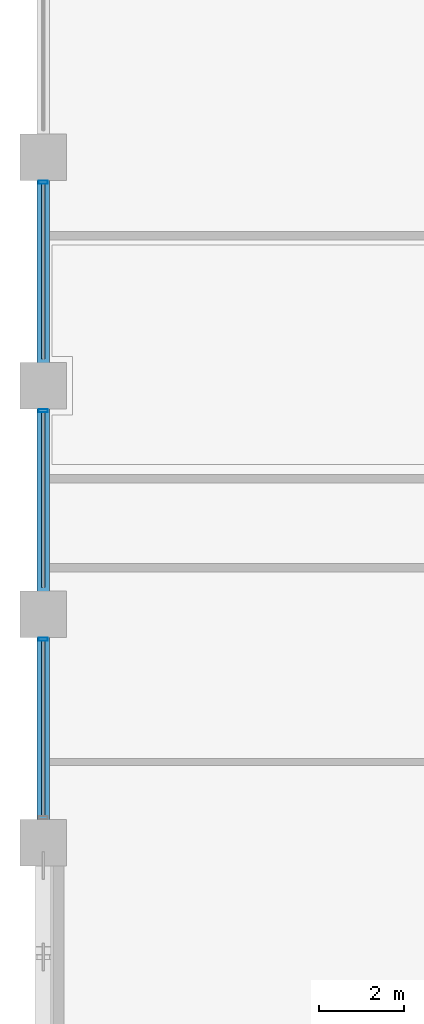
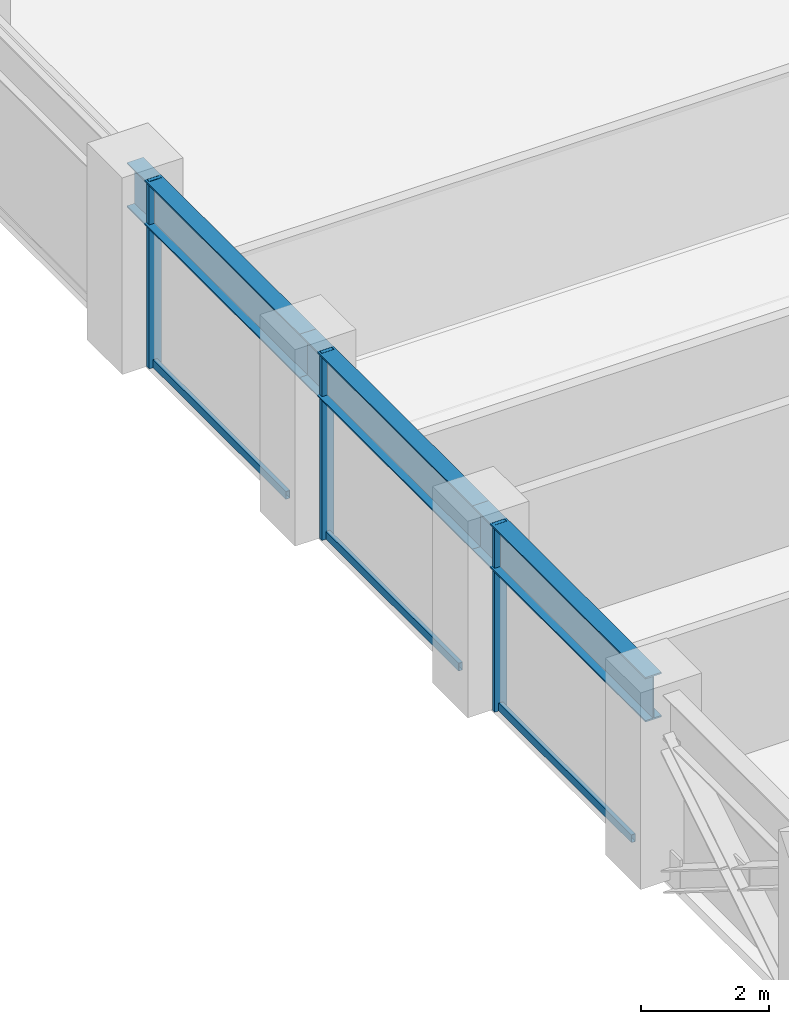
# One storey, part 6 of 25: 6 members, 3 beams, 1 element without a shape of its own.
"""IFC4 building model written with IfcOpenShell, lengths in metres."""

from ifc_helpers import new_model, si_unit, direction, frame, origin, origin_2d, place, context, subcontext, project, spatial, hollow_rectangle, i_section, extrude, material, layer, layer_set, material_profile, profile_set, type_object, element, aggregate, save


model = new_model("IFC4")

# Units and contexts
model_context = context("Model", 3, precision=1e-05, world=origin(), true_north=direction((0.0, 1.0)))
body_context = subcontext(model_context, "Body", "Model", "MODEL_VIEW")
ifc_project = project(units=[si_unit("LENGTHUNIT", "METRE"), si_unit("AREAUNIT", "SQUARE_METRE"), si_unit("VOLUMEUNIT", "CUBIC_METRE"), si_unit("PLANEANGLEUNIT", "RADIAN"), si_unit("MASSUNIT", "GRAM", prefix="KILO")], contexts=[model_context])

# Site, building, storey
site_placement = place(None, origin())
site = spatial("IfcSite", under=ifc_project, at=site_placement, CompositionType="ELEMENT")
building_placement = place(site_placement, origin())
building = spatial("IfcBuilding", under=site, at=building_placement, Name="Surkhivell Harbour Commons", CompositionType="ELEMENT")
storey_placement = place(building_placement, frame((0.0, 0.0, 120.75)))
storey = spatial("IfcBuildingStorey", under=building, at=storey_placement, Name="L31", CompositionType="ELEMENT", Elevation=120.75)

# Beams
ifc_material_1 = material(Name="Steel S460", Category="steel")
ifc_material_profile_1 = material_profile(ifc_material_1, i_section(OverallWidth=0.2939453125, OverallDepth=0.85107421875, WebThickness=0.01611328125, FlangeThickness=0.02685546875, at=origin_2d()), Name="UB838x292x226")
ifc_profile_set_1 = profile_set([ifc_material_profile_1], Name="Steel S460")
beam_type = type_object("IfcBeamType", Name="BM-SPN-838", PredefinedType="SPANDREL", material=ifc_profile_set_1)
beam_placement = place(storey_placement, frame((-32.39990234375, -10.800048828125, 3.14453125), z_axis=(0.0, 1.0, 0.0), x_axis=(-1.0, 0.0, 0.0)))
element("IfcBeam", 1, at=beam_placement, inside=storey, type_object=beam_type, Name="L31 Tube Spandrel (-32.4,-10.8)", PredefinedType="SPANDREL", context=body_context, shape_type="SweptSolid", body=[
    extrude(i_section(OverallWidth=0.2939453125, OverallDepth=0.85107421875, WebThickness=0.01611328125, FlangeThickness=0.02685546875, at=origin_2d()), origin(), (0.0, 0.0, 1.0), 5.400146484375),
])
for number, where, z_axis, x_axis, name in (
    (2, (-32.39990234375, -5.39990234375, 3.14453125), (0.0, 1.0, 0.0), (-1.0, 0.0, 0.0), "L31 Tube Spandrel (-32.4,-5.4)"),
    (3, (-32.39990234375, 0.0, 3.14453125), (0.0, 1.0, 0.0), (-1.0, 0.0, 0.0), "L31 Tube Spandrel (-32.4,0.0)"),
):
    element("IfcBeam", number, at=place(storey_placement, frame(where, z_axis=z_axis, x_axis=x_axis)), inside=storey, type_object=beam_type, Name=name, PredefinedType="SPANDREL", context=body_context, shape_type="SweptSolid", body=[
        extrude(i_section(OverallWidth=0.2939453125, OverallDepth=0.85107421875, WebThickness=0.01611328125, FlangeThickness=0.02685546875, at=origin_2d()), origin(), (0.0, 0.0, 1.0), 5.39990234375),
    ])

# Curtain wall, members
ifc_material_2 = material(Name="Anodised pale-metal aluminium and insulated glazing", Category="aluminium")
ifc_layer = layer(ifc_material_2, 0.205078125)
ifc_layer_set = layer_set([ifc_layer], Name="Anodised pale-metal aluminium and insulated glazing")
curtain_wall_type = type_object("IfcCurtainWallType", Name="CW-SYS-Z2", PredefinedType="NOTDEFINED", material=ifc_layer_set)
curtain_wall_placement = place(storey_placement, origin())
curtain_wall = element("IfcCurtainWall", 4, at=curtain_wall_placement, inside=storey, type_object=curtain_wall_type, Name="L31 Curtain Wall CW-L31-E12S1", PredefinedType="NOTDEFINED")
ifc_material_3 = material(Name="Anodised pale-metal aluminium alloy 6063-T6", Category="aluminium")
ifc_material_profile_2 = material_profile(ifc_material_3, hollow_rectangle(XDim=0.074951171875, YDim=0.219970703125, WallThickness=0.00390625, at=origin_2d()), Name="ALU-MULL-75x220")
ifc_profile_set_2 = profile_set([ifc_material_profile_2], Name="Anodised pale-metal aluminium alloy 6063-T6")
member_type_1 = type_object("IfcMemberType", Name="CWM-220", PredefinedType="MULLION", material=ifc_profile_set_2)
member_1_placement = place(storey_placement, frame((-32.39990234375, 4.810546875, 0.0), z_axis=(0.0, 0.0, 1.0), x_axis=(0.0, -1.0, 0.0)))
member_1 = element("IfcMember", 5, at=member_1_placement, type_object=member_type_1, Name="CW-Z2 mullion 4", PredefinedType="MULLION", context=body_context, shape_type="SweptSolid", body=[
    extrude(hollow_rectangle(XDim=0.074951171875, YDim=0.219970703125, WallThickness=0.00390625, at=origin_2d()), origin(), (0.0, 0.0, 1.0), 3.570068359375),
])
member_2_placement = place(storey_placement, frame((-32.39990234375, -0.589599609375, 0.0), z_axis=(0.0, 0.0, 1.0), x_axis=(0.0, -1.0, 0.0)))
member_2 = element("IfcMember", 6, at=member_2_placement, type_object=member_type_1, Name="CW-Z2 mullion 5", PredefinedType="MULLION", context=body_context, shape_type="SweptSolid", body=[
    extrude(hollow_rectangle(XDim=0.074951171875, YDim=0.219970703125, WallThickness=0.00390625, at=origin_2d()), origin(), (0.0, 0.0, 1.0), 3.570068359375),
])
member_3_placement = place(storey_placement, frame((-32.39990234375, -5.989501953125, 0.0), z_axis=(0.0, 0.0, 1.0), x_axis=(0.0, -1.0, 0.0)))
member_3 = element("IfcMember", 7, at=member_3_placement, type_object=member_type_1, Name="CW-Z2 mullion 6", PredefinedType="MULLION", context=body_context, shape_type="SweptSolid", body=[
    extrude(hollow_rectangle(XDim=0.074951171875, YDim=0.219970703125, WallThickness=0.00390625, at=origin_2d()), origin(), (0.0, 0.0, 1.0), 3.570068359375),
])
ifc_material_profile_3 = material_profile(ifc_material_3, hollow_rectangle(XDim=0.074951171875, YDim=0.14990234375, WallThickness=0.00341796875, at=origin_2d()), Name="ALU-TRAN-75x150")
ifc_profile_set_3 = profile_set([ifc_material_profile_3], Name="Anodised pale-metal aluminium alloy 6063-T6")
member_type_2 = type_object("IfcMemberType", Name="CWT-150", PredefinedType="USERDEFINED", material=ifc_profile_set_3)
member_4_placement = place(storey_placement, frame((-32.39990234375, 4.77294921875, 0.074951171875), z_axis=(0.0, -1.0, 0.0), x_axis=(1.0, 0.0, 0.0)))
member_4 = element("IfcMember", 8, at=member_4_placement, type_object=member_type_2, Name="CW-Z2 transom 4.1", ObjectType="TRANSOM", PredefinedType="USERDEFINED", context=body_context, shape_type="SweptSolid", body=[
    extrude(hollow_rectangle(XDim=0.074951171875, YDim=0.14990234375, WallThickness=0.00341796875, at=origin_2d()), origin(), (0.0, 0.0, 1.0), 4.14599609375),
])
member_5_placement = place(storey_placement, frame((-32.39990234375, -0.626953125, 0.074951171875), z_axis=(0.0, -1.0, 0.0), x_axis=(1.0, 0.0, 0.0)))
member_5 = element("IfcMember", 9, at=member_5_placement, type_object=member_type_2, Name="CW-Z2 transom 5.1", ObjectType="TRANSOM", PredefinedType="USERDEFINED", context=body_context, shape_type="SweptSolid", body=[
    extrude(hollow_rectangle(XDim=0.074951171875, YDim=0.14990234375, WallThickness=0.00341796875, at=origin_2d()), origin(), (0.0, 0.0, 1.0), 4.14599609375),
])
member_6_placement = place(storey_placement, frame((-32.39990234375, -6.027099609375, 0.074951171875), z_axis=(0.0, -1.0, 0.0), x_axis=(1.0, 0.0, 0.0)))
member_6 = element("IfcMember", 10, at=member_6_placement, type_object=member_type_2, Name="CW-Z2 transom 6.1", ObjectType="TRANSOM", PredefinedType="USERDEFINED", context=body_context, shape_type="SweptSolid", body=[
    extrude(hollow_rectangle(XDim=0.074951171875, YDim=0.14990234375, WallThickness=0.00341796875, at=origin_2d()), origin(), (0.0, 0.0, 1.0), 4.14599609375),
])
aggregate(curtain_wall, [member_1, member_4, member_2, member_5, member_3, member_6])

save(model, "model.ifc")
